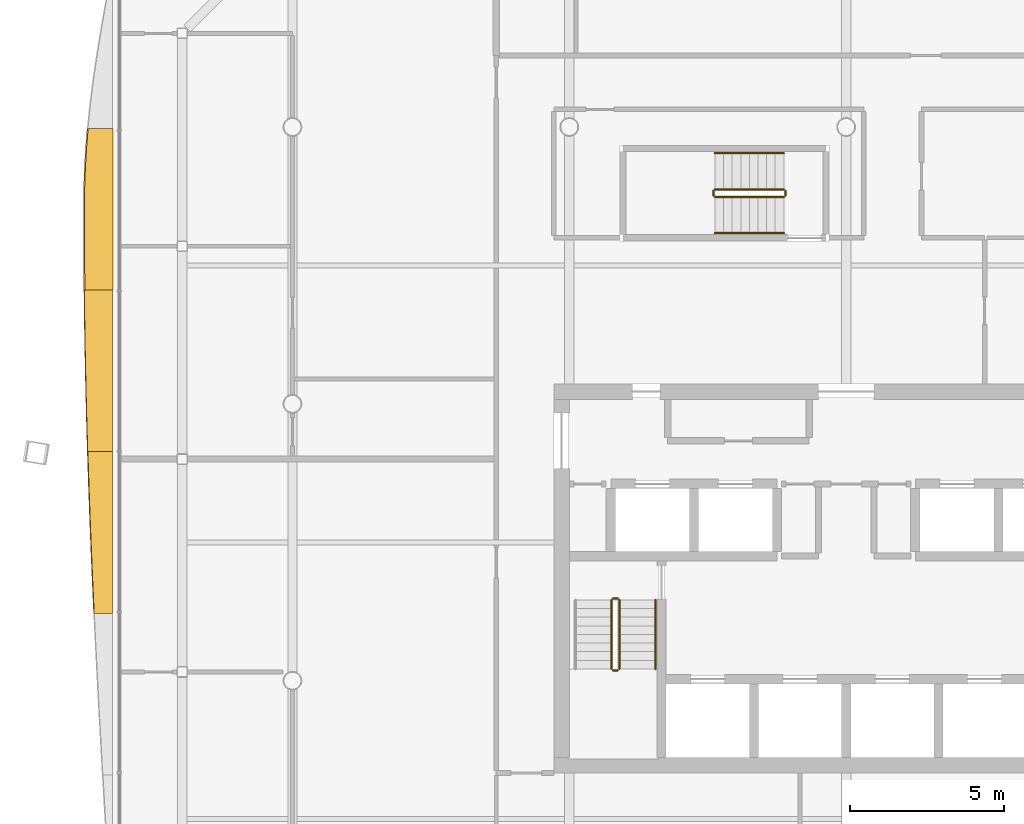
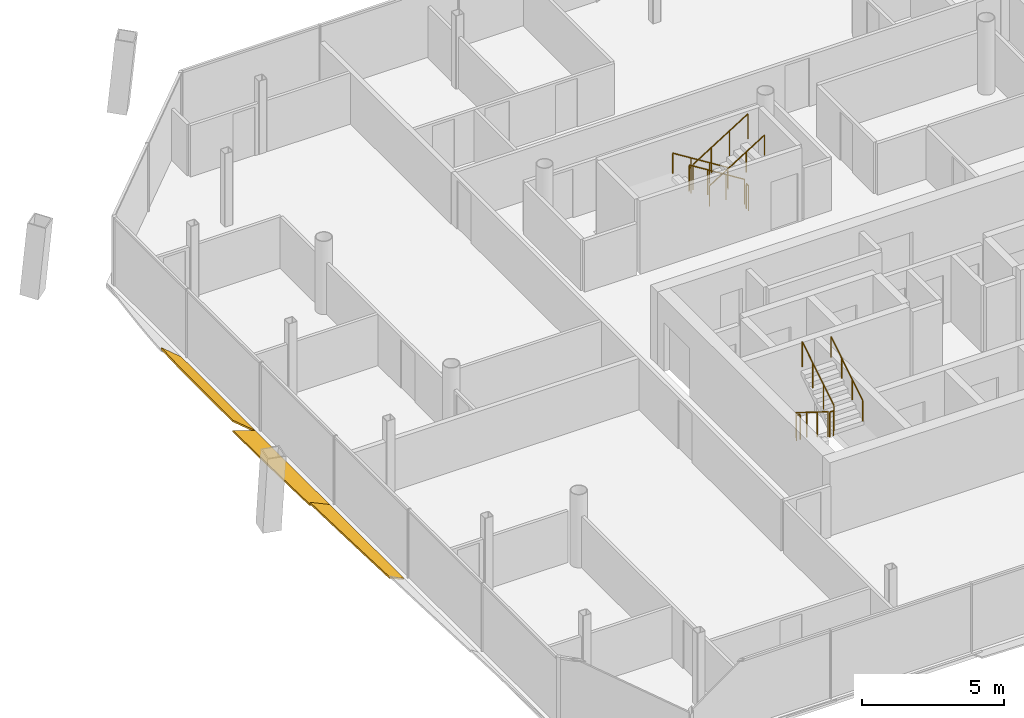
# One storey, part 18 of 20: 11 railings, 3 shading devices.
"""IFC4 building model written with IfcOpenShell, lengths in metres."""

from ifc_helpers import new_model, si_unit, direction, frame, origin, origin_2d, place, context, subcontext, project, spatial, polyline, circle, outline, extrude, material, layer, layer_set, type_object, element, save


model = new_model("IFC4")

# Units and contexts
model_context = context("Model", 3, precision=1e-05, world=origin(), true_north=direction((0.0, 1.0)))
body_context = subcontext(model_context, "Body", "Model", "MODEL_VIEW")
ifc_project = project(units=[si_unit("LENGTHUNIT", "METRE"), si_unit("AREAUNIT", "SQUARE_METRE"), si_unit("VOLUMEUNIT", "CUBIC_METRE"), si_unit("PLANEANGLEUNIT", "RADIAN"), si_unit("MASSUNIT", "GRAM", prefix="KILO")], contexts=[model_context])

# Site, building, storey
site_placement = place(None, origin())
site = spatial("IfcSite", under=ifc_project, at=site_placement, CompositionType="ELEMENT")
building_placement = place(site_placement, origin())
building = spatial("IfcBuilding", under=site, at=building_placement, Name="Tskaro Facet Tower", CompositionType="ELEMENT")
storey_placement = place(building_placement, frame((0.0, 0.0, 187.949951171875)))
storey = spatial("IfcBuildingStorey", under=building, at=storey_placement, Name="L47", CompositionType="ELEMENT", Elevation=187.949951171875)

# Shading devices
ifc_material_1 = material(Name="Bronze anodised aluminium 6063-T6", Category="aluminium")
ifc_layer = layer(ifc_material_1, 0.06005859375, Name="Bronze anodised aluminium 6063-T6")
ifc_layer_set = layer_set([ifc_layer], Name="Bronze anodised aluminium 6063-T6")
shading_device_type = type_object("IfcShadingDeviceType", Name="Bronze sun blade (FN1)", PredefinedType="USERDEFINED", material=ifc_layer_set)
shading_device_1_placement = place(storey_placement, frame((-23.83935546875, 8.951171875, 0.0458984375), z_axis=(0.642807013482, 1.716124e-06, 0.76602816098), x_axis=(1.103136e-06, -0.999999999999, 1.314599e-06)))
element("IfcShadingDevice", 1, at=shading_device_1_placement, inside=storey, type_object=shading_device_type, Name="Fin blade west 2", ObjectType="FIN", PredefinedType="USERDEFINED", context=body_context, shape_type="SweptSolid", body=[
    extrude(outline(polyline([(0.0, 0.0), (5.252929687492265, 0.0), (5.252929687410541, -1.184285379455112), (4.596191406220013, -1.1926004396314185), (3.939697265562418, -1.1983208039136246), (3.2829589845603313, -1.2019473615077725), (2.626464843552537, -1.203353260395799), (2.56347656230263, -1.203353260395799), (1.9697265625143199, -1.194851181625503), (1.313232421954841, -1.1655614524144409), (0.6564941407273543, -1.116171980562644), (-1.3583458152112814e-10, -1.047213738564118), (0.0, 0.0)])), origin(), (0.0, 0.0, -1.0), 0.06005859375),
])
shading_device_2_placement = place(storey_placement, frame((-23.857421875, 3.6982421875, 0.056396484375), z_axis=(0.342027955516, -1.8515104e-05, 0.939689777162), x_axis=(-6.332683e-06, -0.999999999829, -1.7398454e-05)))
element("IfcShadingDevice", 2, at=shading_device_2_placement, inside=storey, type_object=shading_device_type, Name="Fin blade west 3", ObjectType="FIN", PredefinedType="USERDEFINED", context=body_context, shape_type="SweptSolid", body=[
    extrude(outline(polyline([(0.0, 0.0), (5.252685545974666, 4.4491977197695976e-21), (5.252685547646356, -0.8482461753375026), (4.596191406090623, -0.8687916594977041), (3.939453123128877, -0.887793639122972), (3.2829589842587077, -0.905168611294465), (2.626220702436462, -0.9207706624814829), (1.969726563159726, -0.9345162897651837), (1.3132324231019377, -0.9467184125139514), (0.656494138546008, -0.956918197828702), (-1.9183465001824734e-09, -0.9654909756896777), (0.0, 0.0)])), origin(), (0.0, 0.0, -1.0), 0.06005859375),
])
shading_device_3_placement = place(storey_placement, frame((-23.8525390625, -1.554443359375, 0.054443359375), z_axis=(0.422516136487, 7.3339e-08, 0.90635540182), x_axis=(3.0987e-08, -1.0, 6.6471e-08)))
element("IfcShadingDevice", 3, at=shading_device_3_placement, inside=storey, type_object=shading_device_type, Name="Fin blade west 4", ObjectType="FIN", PredefinedType="USERDEFINED", context=body_context, shape_type="SweptSolid", body=[
    extrude(outline(polyline([(0.0, 0.0), (5.252929687499986, -1.7380486386416937e-23), (5.252929687498932, -0.6523958743412116), (4.596191406252096, -0.6858172624617958), (3.9396972656269664, -0.7176015214758418), (3.2829589843746407, -0.7482943610855289), (2.6264648437526836, -0.777674503116585), (1.969970703127433, -0.8054175160411028), (1.3132324218663232, -0.8317446780333548), (0.6567382812507128, -0.8563165860984309), (-7.567343187621084e-13, -0.8794726432312411), (0.0, 0.0)])), origin(), (0.0, 0.0, -1.0), 0.06005859375),
])

# Railings
ifc_material_2 = material(Name="Stainless steel", Category="steel")
railing_type_1 = type_object("IfcRailingType", Name="RL-GUARD-1100", PredefinedType="GUARDRAIL", material=ifc_material_2)
railing_1_placement = place(storey_placement, frame((-7.625, -6.375, 0.175048828125)))
element("IfcRailing", 4, at=railing_1_placement, inside=storey, type_object=railing_type_1, Name="L47 ST-1 stair guard 1", PredefinedType="GUARDRAIL", context=body_context, shape_type="SweptSolid", body=[
    extrude(circle(Radius=0.02392578125, at=origin_2d()), frame((0.0, 0.0, 1.076171875), z_axis=(0.0, -0.848013881152, 0.529974015752), x_axis=(1.0, 0.0, 0.0)), (0.0, 0.0, 1.0), 2.641357421875),
    extrude(circle(Radius=0.02099609375, at=origin_2d()), origin(), (0.0, 0.0, 1.0), 1.052001953125),
    extrude(circle(Radius=0.02099609375, at=origin_2d()), frame((0.0, -0.74658203125, 0.466552734375)), (0.0, 0.0, 1.0), 1.052001953125),
    extrude(circle(Radius=0.02099609375, at=origin_2d()), frame((0.0, -1.493408203125, 0.933349609375)), (0.0, 0.0, 1.0), 1.052001953125),
    extrude(circle(Radius=0.02099609375, at=origin_2d()), frame((0.0, -2.239990234375, 1.39990234375)), (0.0, 0.0, 1.0), 1.052001953125),
])
railing_2_placement = place(storey_placement, frame((-7.574951171875, -8.6650390625, 1.574951171875)))
element("IfcRailing", 5, at=railing_2_placement, inside=storey, type_object=railing_type_1, Name="L47 ST-1 stair guard 2", PredefinedType="GUARDRAIL", context=body_context, shape_type="SweptSolid", body=[
    extrude(circle(Radius=0.02392578125, at=origin_2d()), frame((0.0, 0.0, 1.076171875), z_axis=(1.0, 0.0, 0.0), x_axis=(0.0, 1.0, 0.0)), (0.0, 0.0, 1.0), 0.14990234375),
    extrude(circle(Radius=0.02099609375, at=origin_2d()), origin(), (0.0, 0.0, 1.0), 1.052001953125),
    extrude(circle(Radius=0.02099609375, at=origin_2d()), frame((0.14990234375, 0.0, 0.0)), (0.0, 0.0, 1.0), 1.052001953125),
])
railing_3_placement = place(storey_placement, frame((-7.375, -8.614990234375, 1.75)))
element("IfcRailing", 6, at=railing_3_placement, inside=storey, type_object=railing_type_1, Name="L47 ST-1 stair guard 3", PredefinedType="GUARDRAIL", context=body_context, shape_type="SweptSolid", body=[
    extrude(circle(Radius=0.02392578125, at=origin_2d()), frame((0.0, 0.0, 1.076171875), z_axis=(0.0, 0.847972341737, 0.530040477369), x_axis=(-1.0, 0.0, 0.0)), (0.0, 0.0, 1.0), 2.6416015625),
    extrude(circle(Radius=0.02099609375, at=origin_2d()), origin(), (0.0, 0.0, 1.0), 1.052001953125),
    extrude(circle(Radius=0.02099609375, at=origin_2d()), frame((0.0, 0.74658203125, 0.466796875)), (0.0, 0.0, 1.0), 1.052001953125),
    extrude(circle(Radius=0.02099609375, at=origin_2d()), frame((0.0, 1.493408203125, 0.933349609375)), (0.0, 0.0, 1.0), 1.052001953125),
    extrude(circle(Radius=0.02099609375, at=origin_2d()), frame((0.0, 2.239990234375, 1.400146484375)), (0.0, 0.0, 1.0), 1.052001953125),
])
railing_4_placement = place(storey_placement, frame((-7.574951171875, -6.324951171875, 0.0)))
element("IfcRailing", 7, at=railing_4_placement, inside=storey, type_object=railing_type_1, Name="L47 ST-1 stair guard 4", PredefinedType="GUARDRAIL", context=body_context, shape_type="SweptSolid", body=[
    extrude(circle(Radius=0.02392578125, at=origin_2d()), frame((0.0, 0.0, 1.076171875), z_axis=(1.0, 0.0, 0.0), x_axis=(0.0, 1.0, 0.0)), (0.0, 0.0, 1.0), 0.14990234375),
    extrude(circle(Radius=0.02099609375, at=origin_2d()), origin(), (0.0, 0.0, 1.0), 1.052001953125),
    extrude(circle(Radius=0.02099609375, at=origin_2d()), frame((0.14990234375, 0.0, 0.0)), (0.0, 0.0, 1.0), 1.052001953125),
])
railing_5_placement = place(storey_placement, frame((-2.02490234375, 6.97509765625, 0.175048828125)))
element("IfcRailing", 8, at=railing_5_placement, inside=storey, type_object=railing_type_1, Name="L47 ST-3 stair guard 1", PredefinedType="GUARDRAIL", context=body_context, shape_type="SweptSolid", body=[
    extrude(circle(Radius=0.02392578125, at=origin_2d()), frame((0.0, 0.0, 1.076171875), z_axis=(-0.848013881152, 0.0, 0.529974015752), x_axis=(0.0, -1.0, 0.0)), (0.0, 0.0, 1.0), 2.641357421875),
    extrude(circle(Radius=0.02099609375, at=origin_2d()), origin(), (0.0, 0.0, 1.0), 1.052001953125),
    extrude(circle(Radius=0.02099609375, at=origin_2d()), frame((-0.74658203125, 0.0, 0.466552734375)), (0.0, 0.0, 1.0), 1.052001953125),
    extrude(circle(Radius=0.02099609375, at=origin_2d()), frame((-1.493408203125, 0.0, 0.933349609375)), (0.0, 0.0, 1.0), 1.052001953125),
    extrude(circle(Radius=0.02099609375, at=origin_2d()), frame((-2.239990234375, 0.0, 1.39990234375)), (0.0, 0.0, 1.0), 1.052001953125),
])
railing_6_placement = place(storey_placement, frame((-4.31494140625, 6.925048828125, 1.574951171875)))
element("IfcRailing", 9, at=railing_6_placement, inside=storey, type_object=railing_type_1, Name="L47 ST-3 stair guard 2", PredefinedType="GUARDRAIL", context=body_context, shape_type="SweptSolid", body=[
    extrude(circle(Radius=0.02392578125, at=origin_2d()), frame((0.0, 0.0, 1.076171875), z_axis=(0.0, -1.0, 0.0), x_axis=(1.0, 0.0, 0.0)), (0.0, 0.0, 1.0), 0.150146484375),
    extrude(circle(Radius=0.02099609375, at=origin_2d()), origin(), (0.0, 0.0, 1.0), 1.052001953125),
    extrude(circle(Radius=0.02099609375, at=origin_2d()), frame((0.0, -0.150146484375, 0.0)), (0.0, 0.0, 1.0), 1.052001953125),
])
railing_7_placement = place(storey_placement, frame((-4.264892578125, 6.72509765625, 1.75)))
element("IfcRailing", 10, at=railing_7_placement, inside=storey, type_object=railing_type_1, Name="L47 ST-3 stair guard 3", PredefinedType="GUARDRAIL", context=body_context, shape_type="SweptSolid", body=[
    extrude(circle(Radius=0.02392578125, at=origin_2d()), frame((0.0, 0.0, 1.076171875), z_axis=(0.847972341737, 0.0, 0.530040477369), x_axis=(0.0, 1.0, 0.0)), (0.0, 0.0, 1.0), 2.6416015625),
    extrude(circle(Radius=0.02099609375, at=origin_2d()), origin(), (0.0, 0.0, 1.0), 1.052001953125),
    extrude(circle(Radius=0.02099609375, at=origin_2d()), frame((0.74658203125, 0.0, 0.466796875)), (0.0, 0.0, 1.0), 1.052001953125),
    extrude(circle(Radius=0.02099609375, at=origin_2d()), frame((1.493408203125, 0.0, 0.933349609375)), (0.0, 0.0, 1.0), 1.052001953125),
    extrude(circle(Radius=0.02099609375, at=origin_2d()), frame((2.239990234375, 0.0, 1.400146484375)), (0.0, 0.0, 1.0), 1.052001953125),
])
railing_8_placement = place(storey_placement, frame((-1.97509765625, 6.925048828125, 0.0)))
element("IfcRailing", 11, at=railing_8_placement, inside=storey, type_object=railing_type_1, Name="L47 ST-3 stair guard 4", PredefinedType="GUARDRAIL", context=body_context, shape_type="SweptSolid", body=[
    extrude(circle(Radius=0.02392578125, at=origin_2d()), frame((0.0, 0.0, 1.076171875), z_axis=(0.0, -1.0, 0.0), x_axis=(1.0, 0.0, 0.0)), (0.0, 0.0, 1.0), 0.150146484375),
    extrude(circle(Radius=0.02099609375, at=origin_2d()), origin(), (0.0, 0.0, 1.0), 1.052001953125),
    extrude(circle(Radius=0.02099609375, at=origin_2d()), frame((0.0, -0.150146484375, 0.0)), (0.0, 0.0, 1.0), 1.052001953125),
])
railing_type_2 = type_object("IfcRailingType", Name="RL-HANDRAIL-900", PredefinedType="HANDRAIL", material=ifc_material_2)
railing_9_placement = place(storey_placement, frame((-6.199951171875, -8.614990234375, 1.75)))
element("IfcRailing", 12, at=railing_9_placement, inside=storey, type_object=railing_type_2, Name="L47 ST-1 stair handrail 2", PredefinedType="HANDRAIL", context=body_context, shape_type="SweptSolid", body=[
    extrude(circle(Radius=0.02392578125, at=origin_2d()), frame((0.0, 0.0, 0.8759765625), z_axis=(0.0, 0.847972341737, 0.530040477369), x_axis=(-1.0, 0.0, 0.0)), (0.0, 0.0, 1.0), 2.6416015625),
    extrude(circle(Radius=0.02099609375, at=origin_2d()), origin(), (0.0, 0.0, 1.0), 0.851806640625),
    extrude(circle(Radius=0.02099609375, at=origin_2d()), frame((0.0, 0.74658203125, 0.466796875)), (0.0, 0.0, 1.0), 0.851806640625),
    extrude(circle(Radius=0.02099609375, at=origin_2d()), frame((0.0, 1.493408203125, 0.933349609375)), (0.0, 0.0, 1.0), 0.851806640625),
    extrude(circle(Radius=0.02099609375, at=origin_2d()), frame((0.0, 2.239990234375, 1.400146484375)), (0.0, 0.0, 1.0), 0.851806640625),
])
railing_10_placement = place(storey_placement, frame((-2.02490234375, 8.14990234375, 0.175048828125)))
element("IfcRailing", 13, at=railing_10_placement, inside=storey, type_object=railing_type_2, Name="L47 ST-3 stair handrail 1", PredefinedType="HANDRAIL", context=body_context, shape_type="SweptSolid", body=[
    extrude(circle(Radius=0.02392578125, at=origin_2d()), frame((0.0, 0.0, 0.8759765625), z_axis=(-0.848013881152, 0.0, 0.529974015752), x_axis=(0.0, -1.0, 0.0)), (0.0, 0.0, 1.0), 2.641357421875),
    extrude(circle(Radius=0.02099609375, at=origin_2d()), origin(), (0.0, 0.0, 1.0), 0.851806640625),
    extrude(circle(Radius=0.02099609375, at=origin_2d()), frame((-0.74658203125, 0.0, 0.466552734375)), (0.0, 0.0, 1.0), 0.851806640625),
    extrude(circle(Radius=0.02099609375, at=origin_2d()), frame((-1.493408203125, 0.0, 0.933349609375)), (0.0, 0.0, 1.0), 0.851806640625),
    extrude(circle(Radius=0.02099609375, at=origin_2d()), frame((-2.239990234375, 0.0, 1.39990234375)), (0.0, 0.0, 1.0), 0.851806640625),
])
railing_11_placement = place(storey_placement, frame((-4.264892578125, 5.550048828125, 1.75)))
element("IfcRailing", 14, at=railing_11_placement, inside=storey, type_object=railing_type_2, Name="L47 ST-3 stair handrail 2", PredefinedType="HANDRAIL", context=body_context, shape_type="SweptSolid", body=[
    extrude(circle(Radius=0.02392578125, at=origin_2d()), frame((0.0, 0.0, 0.8759765625), z_axis=(0.847972341737, 0.0, 0.530040477369), x_axis=(0.0, 1.0, 0.0)), (0.0, 0.0, 1.0), 2.6416015625),
    extrude(circle(Radius=0.02099609375, at=origin_2d()), origin(), (0.0, 0.0, 1.0), 0.851806640625),
    extrude(circle(Radius=0.02099609375, at=origin_2d()), frame((0.74658203125, 0.0, 0.466796875)), (0.0, 0.0, 1.0), 0.851806640625),
    extrude(circle(Radius=0.02099609375, at=origin_2d()), frame((1.493408203125, 0.0, 0.933349609375)), (0.0, 0.0, 1.0), 0.851806640625),
    extrude(circle(Radius=0.02099609375, at=origin_2d()), frame((2.239990234375, 0.0, 1.400146484375)), (0.0, 0.0, 1.0), 0.851806640625),
])

save(model, "model.ifc")
